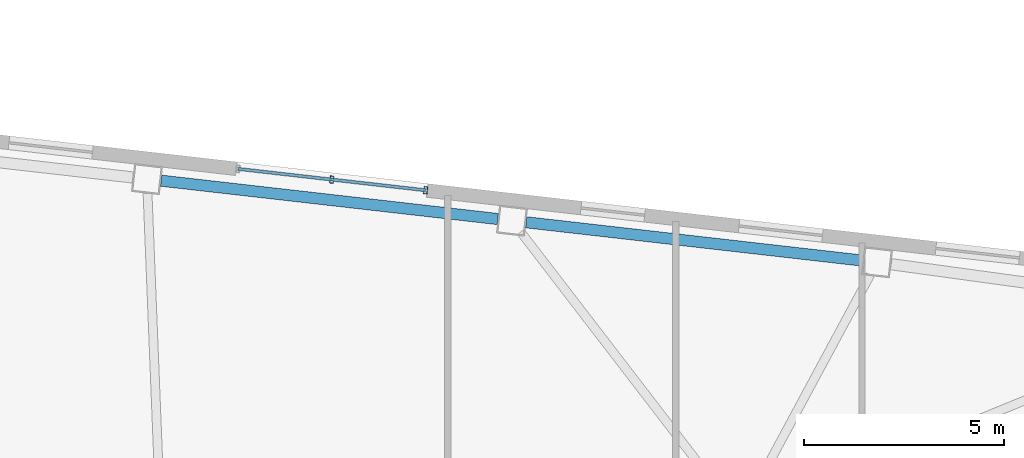
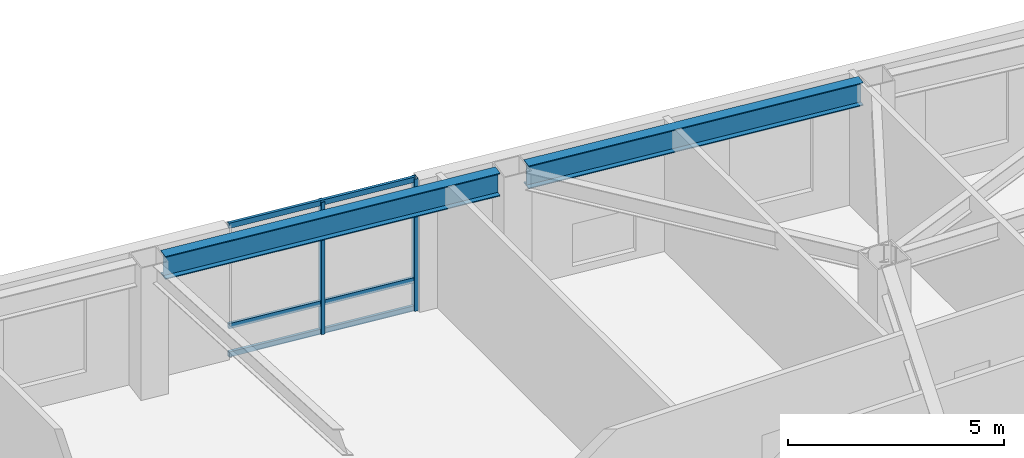
# One storey, part 10 of 22: 5 members, 2 beams, 1 element without a shape of its own.
"""IFC4 building model written with IfcOpenShell, lengths in metres."""

import ifcopenshell
import ifcopenshell.guid

model = None  # the IFC model being written
_history = None  # IfcOwnerHistory: only IFC2X3 demands one
_inside = {}  # id of a spatial element -> (the spatial element, [elements in it])
_under = {}  # id of a project, library or spatial element -> (it, [spatial elements below it])
_declared = {}  # id of a project -> (the project, [libraries it declares])
_typed = {}  # id of a type object -> (the type object, [elements of that type])
_made_of = {}  # id of a material, layer set ... -> (it, [elements and type objects made of it])


def new_model(schema):
    """Start an empty IFC model of exactly this schema.

    Asked for "IFC4X3", IfcOpenShell would pick the latest addendum, in which some entities
    have other attributes; the version numbers below select the first issue.
    IFC2X3 requires an IfcOwnerHistory on every rooted entity: one is made here for all.
    """
    global model, _history
    if schema == "IFC4X3":
        model = ifcopenshell.file(schema_version=(4, 3, 0, 0))
    else:
        model = ifcopenshell.file(schema=schema)
    _inside.clear()
    _under.clear()
    _declared.clear()
    _typed.clear()
    _made_of.clear()
    _history = None
    if model.schema == "IFC2X3":
        org = make("IfcOrganization", Name="unknown")
        user = make(
            "IfcPersonAndOrganization",
            ThePerson=make("IfcPerson", FamilyName="unknown"),
            TheOrganization=org,
        )
        app = make(
            "IfcApplication",
            ApplicationDeveloper=org,
            Version="unknown",
            ApplicationFullName="unknown",
            ApplicationIdentifier="unknown",
        )
        _history = make(
            "IfcOwnerHistory",
            OwningUser=user,
            OwningApplication=app,
            ChangeAction="ADDED",
            CreationDate=0,
        )
    return model


def make(cls, **values):
    """One entity of the class cls with the attributes given. An attribute that is None is left unset."""
    return model.create_entity(
        cls, **{name: value for name, value in values.items() if value is not None}
    )


def rooted(cls, **values):
    """An entity with a GlobalId (a new one), such as an element, a storey or a relation."""
    return make(cls, GlobalId=ifcopenshell.guid.new(), OwnerHistory=_history, **values)


def si_unit(unit_type, name, prefix=None):
    """IfcSIUnit, for example si_unit("LENGTHUNIT", "METRE", prefix="MILLI")."""
    return make("IfcSIUnit", UnitType=unit_type, Prefix=prefix, Name=name)


def assignment(units):
    """IfcUnitAssignment: the units of a project."""
    return None if units is None else make("IfcUnitAssignment", Units=units)


def point(xyz):
    """IfcCartesianPoint."""
    return None if xyz is None else make("IfcCartesianPoint", Coordinates=xyz)


def direction(xyz):
    """IfcDirection."""
    return None if xyz is None else make("IfcDirection", DirectionRatios=xyz)


def frame(location, z_axis=None, x_axis=None):
    """IfcAxis2Placement3D, a coordinate frame: its origin and axes. An axis left out is left unset."""
    return make(
        "IfcAxis2Placement3D",
        Location=point(location),
        Axis=direction(z_axis),
        RefDirection=direction(x_axis),
    )


def frame_2d(location, x_axis=None):
    """IfcAxis2Placement2D, a coordinate frame in the plane: its origin and x axis."""
    return make(
        "IfcAxis2Placement2D", Location=point(location), RefDirection=direction(x_axis)
    )


def origin():
    """The frame at (0, 0, 0) with its axes left unset."""
    return frame((0.0, 0.0, 0.0))


def origin_2d():
    """The frame at (0, 0) in the plane with its x axis left unset."""
    return frame_2d((0.0, 0.0))


def place(relative_to, where):
    """IfcLocalPlacement: puts the frame where relative to a parent placement (None: the world)."""
    return make(
        "IfcLocalPlacement", PlacementRelTo=relative_to, RelativePlacement=where
    )


def context(
    kind, dimensions, precision=None, world=None, true_north=None, identifier=None
):
    """IfcGeometricRepresentationContext, for example the 3D "Model" context."""
    return make(
        "IfcGeometricRepresentationContext",
        ContextIdentifier=identifier,
        ContextType=kind,
        CoordinateSpaceDimension=dimensions,
        Precision=precision,
        WorldCoordinateSystem=world,
        TrueNorth=true_north,
    )


def subcontext(parent, identifier, kind, view, scale=None):
    """IfcGeometricRepresentationSubContext, for example "Body" below "Model"."""
    return make(
        "IfcGeometricRepresentationSubContext",
        ContextIdentifier=identifier,
        ContextType=kind,
        ParentContext=parent,
        TargetScale=scale,
        TargetView=view,
    )


def project(units=None, contexts=None):
    """IfcProject with its units and contexts."""
    return rooted(
        "IfcProject",
        Name="project",
        RepresentationContexts=contexts,
        UnitsInContext=assignment(units),
    )


def spatial(cls, under=None, at=None, **own):
    """A site, building, storey or space (cls), placed at a placement, below another one or the project."""
    s = rooted(cls, ObjectPlacement=at, **own)
    if under is not None:
        _under.setdefault(under.id(), (under, []))[1].append(s)
    return s


def profile(cls, at=None, kind="AREA", **sizes):
    """A parametric profile (cls). Its sizes go by their IFC names, for example OverallWidth=200.0."""
    return make(cls, ProfileType=kind, Position=at, **sizes)


def hollow_rectangle(**sizes):
    """IfcRectangleHollowProfileDef."""
    return profile("IfcRectangleHollowProfileDef", **sizes)


def i_section(**sizes):
    """IfcIShapeProfileDef."""
    return profile("IfcIShapeProfileDef", **sizes)


def extrude(swept, where, along, depth):
    """IfcExtrudedAreaSolid: the profile swept, set in the frame where, extruded along a direction by depth."""
    return make(
        "IfcExtrudedAreaSolid",
        SweptArea=swept,
        Position=where,
        ExtrudedDirection=direction(along),
        Depth=depth,
    )


def shape(context_of_items, identifier, shape_type, items):
    """IfcShapeRepresentation: the items that make up one representation, for example the "Body"."""
    return make(
        "IfcShapeRepresentation",
        ContextOfItems=context_of_items,
        RepresentationIdentifier=identifier,
        RepresentationType=shape_type,
        Items=items,
    )


def material(Name=None, Category=None):
    """IfcMaterial."""
    return make("IfcMaterial", Name=Name, Category=Category)


def layer(
    of_material, thickness, ventilated=None, Name=None, Category=None, Priority=None
):
    """IfcMaterialLayer: one layer of a wall or slab, of a material (None: an air gap)."""
    return make(
        "IfcMaterialLayer",
        Material=of_material,
        LayerThickness=thickness,
        IsVentilated=ventilated,
        Name=Name,
        Category=Category,
        Priority=Priority,
    )


def layer_set(layers, Name=None):
    """IfcMaterialLayerSet."""
    return make("IfcMaterialLayerSet", MaterialLayers=layers, LayerSetName=Name)


def material_profile(
    of_material, cross_section, Name=None, Category=None, Priority=None
):
    """IfcMaterialProfile: a cross section and its material."""
    return make(
        "IfcMaterialProfile",
        Name=Name,
        Material=of_material,
        Profile=cross_section,
        Priority=Priority,
        Category=Category,
    )


def profile_set(profiles, Name=None, composite=None):
    """IfcMaterialProfileSet."""
    return make(
        "IfcMaterialProfileSet",
        Name=Name,
        MaterialProfiles=profiles,
        CompositeProfile=composite,
    )


def made_of(thing, what):
    """Note that an element or type object is made of a material, layer set ...; save() writes the relation."""
    if what is not None:
        _made_of.setdefault(what.id(), (what, []))[1].append(thing)
    return thing


def type_object(cls, material=None, **own):
    """A type object (cls), such as IfcWallType, which elements share."""
    return made_of(rooted(cls, **own), material)


def element(
    cls,
    number,
    at=None,
    inside=None,
    cuts=None,
    type_object=None,
    material=None,
    context=None,
    identifier="Body",
    shape_type=None,
    held_by="IfcProductDefinitionShape",
    body=None,
    shapes=None,
    **own,
):
    """One element of the class cls, such as IfcWall. Its Tag is "e" and its number.

    at: its placement. inside: the storey or other place that contains it. cuts: it is an
    opening in that element (IfcRelVoidsElement). A single representation is given by context,
    identifier, shape_type and body (its items); several are given by shapes. held_by: the class
    of the entity that holds the representations. save() writes the other relations.
    """
    e = rooted(cls, Tag="e%d" % number, ObjectPlacement=at, **own)
    if body is not None:
        shapes = [shape(context, identifier, shape_type, body)]
    if shapes is not None:
        e.Representation = make(held_by, Representations=shapes)
    if inside is not None:
        _inside.setdefault(inside.id(), (inside, []))[1].append(e)
    if cuts is not None:
        rooted(
            "IfcRelVoidsElement", RelatingBuildingElement=cuts, RelatedOpeningElement=e
        )
    if type_object is not None:
        _typed.setdefault(type_object.id(), (type_object, []))[1].append(e)
    return made_of(e, material)


def aggregate(whole, parts):
    """IfcRelAggregates: a whole, such as a stair, and the parts it consists of."""
    return rooted("IfcRelAggregates", RelatingObject=whole, RelatedObjects=parts)


def save(model, path):
    """Write the relations noted so far, then the file.

    IfcRelAggregates (storeys below a building ...), IfcRelContainedInSpatialStructure (elements
    in a storey), IfcRelDefinesByType, IfcRelAssociatesMaterial and IfcRelDeclares: one each for
    every whole, place, type object, material and project.
    """
    for whole, parts in _under.values():
        aggregate(whole, parts)
    for where, things in _inside.values():
        rooted(
            "IfcRelContainedInSpatialStructure",
            RelatedElements=things,
            RelatingStructure=where,
        )
    for kind, things in _typed.values():
        rooted("IfcRelDefinesByType", RelatedObjects=things, RelatingType=kind)
    for what, things in _made_of.values():
        rooted("IfcRelAssociatesMaterial", RelatedObjects=things, RelatingMaterial=what)
    for by, libraries in _declared.values():
        rooted("IfcRelDeclares", RelatingContext=by, RelatedDefinitions=libraries)
    model.write(path)


model = new_model("IFC4")

# Units and contexts
model_context = context("Model", 3, precision=1e-05, world=origin(), true_north=direction((0.0, 1.0)))
body_context = subcontext(model_context, "Body", "Model", "MODEL_VIEW")
ifc_project = project(units=[si_unit("LENGTHUNIT", "METRE"), si_unit("AREAUNIT", "SQUARE_METRE"), si_unit("VOLUMEUNIT", "CUBIC_METRE"), si_unit("PLANEANGLEUNIT", "RADIAN"), si_unit("MASSUNIT", "GRAM", prefix="KILO")], contexts=[model_context])

# Site, building, storey
site_placement = place(None, origin())
site = spatial("IfcSite", under=ifc_project, at=site_placement, CompositionType="ELEMENT")
building_placement = place(site_placement, origin())
building = spatial("IfcBuilding", under=site, at=building_placement, Name="Tavrogorsk Clinical Tower", CompositionType="ELEMENT")
storey_placement = place(building_placement, frame((0.0, 0.0, 93.39990234375)))
storey = spatial("IfcBuildingStorey", under=building, at=storey_placement, Name="L20", CompositionType="ELEMENT", Elevation=93.39990234375)

# Curtain wall, members
ifc_material_1 = material(Name="Anodised aluminium and triple IGU glazing", Category="aluminium")
ifc_layer = layer(ifc_material_1, 0.179931640625)
ifc_layer_set = layer_set([ifc_layer], Name="Anodised aluminium and triple IGU glazing")
curtain_wall_type = type_object("IfcCurtainWallType", Name="CW2_NorthSlot", PredefinedType="NOTDEFINED", material=ifc_layer_set)
curtain_wall_placement = place(storey_placement, origin())
curtain_wall = element("IfcCurtainWall", 1, at=curtain_wall_placement, inside=storey, type_object=curtain_wall_type, Name="L20 Curtain Wall CW-L20-N-SLOT-2", PredefinedType="NOTDEFINED")
ifc_material_2 = material(Name="Anodised aluminium alloy AW-6060", Category="aluminium")
ifc_material_profile_1 = material_profile(ifc_material_2, hollow_rectangle(XDim=0.090087890625, YDim=0.179931640625, WallThickness=0.00634765625, at=origin_2d()), Name="RHS-180x90x6.3")
ifc_profile_set_1 = profile_set([ifc_material_profile_1], Name="Anodised aluminium alloy AW-6060")
member_type_1 = type_object("IfcMemberType", Name="CwMullion_180x90", PredefinedType="MULLION", material=ifc_profile_set_1)
member_1_placement = place(storey_placement, frame((16.650146484375, 21.36572265625, 0.0), z_axis=(0.0, 0.0, 1.0), x_axis=(-0.993571855603, 0.11320321441, 0.0)))
member_1 = element("IfcMember", 2, at=member_1_placement, type_object=member_type_1, Name="CW-L20-N-SLOT-2 Mullion 1", PredefinedType="MULLION", context=body_context, shape_type="SweptSolid", body=[
    extrude(hollow_rectangle(XDim=0.090087890625, YDim=0.179931640625, WallThickness=0.00634765625, at=origin_2d()), origin(), (0.0, 0.0, 1.0), 3.739990234375),
])
member_2_placement = place(storey_placement, frame((14.306396484375, 21.6328125, 0.0), z_axis=(0.0, 0.0, 1.0), x_axis=(-0.993571855603, 0.11320321441, 0.0)))
member_2 = element("IfcMember", 3, at=member_2_placement, type_object=member_type_1, Name="CW-L20-N-SLOT-2 Mullion 2", PredefinedType="MULLION", context=body_context, shape_type="SweptSolid", body=[
    extrude(hollow_rectangle(XDim=0.090087890625, YDim=0.179931640625, WallThickness=0.00634765625, at=origin_2d()), origin(), (0.0, 0.0, 1.0), 3.739990234375),
])
ifc_material_3 = material(Name="Anodised aluminium alloy AW-6060", Category="aluminium")
ifc_material_profile_2 = material_profile(ifc_material_3, hollow_rectangle(XDim=0.074951171875, YDim=0.14990234375, WallThickness=0.0048828125, at=origin_2d()), Name="RHS-150x75x5")
ifc_profile_set_2 = profile_set([ifc_material_profile_2], Name="Anodised aluminium alloy AW-6060")
member_type_2 = type_object("IfcMemberType", Name="CwTransom_150x75", PredefinedType="USERDEFINED", material=ifc_profile_set_2)
member_3_placement = place(storey_placement, frame((16.650146484375, 21.36572265625, 0.050048828125), z_axis=(-0.993569315854, 0.113225503286, 0.0), x_axis=(-0.113225503286, -0.993569315854, 0.0)))
member_3 = element("IfcMember", 4, at=member_3_placement, type_object=member_type_2, Name="CW-L20-N-SLOT-2 Transom 1", ObjectType="TRANSOM", PredefinedType="USERDEFINED", context=body_context, shape_type="SweptSolid", body=[
    extrude(hollow_rectangle(XDim=0.074951171875, YDim=0.14990234375, WallThickness=0.0048828125, at=origin_2d()), origin(), (0.0, 0.0, 1.0), 4.7177734375),
])
member_4_placement = place(storey_placement, frame((16.650146484375, 21.36572265625, 0.85009765625), z_axis=(-0.993569315854, 0.113225503286, 0.0), x_axis=(-0.113225503286, -0.993569315854, 0.0)))
member_4 = element("IfcMember", 5, at=member_4_placement, type_object=member_type_2, Name="CW-L20-N-SLOT-2 Transom 2", ObjectType="TRANSOM", PredefinedType="USERDEFINED", context=body_context, shape_type="SweptSolid", body=[
    extrude(hollow_rectangle(XDim=0.074951171875, YDim=0.14990234375, WallThickness=0.0048828125, at=origin_2d()), origin(), (0.0, 0.0, 1.0), 4.7177734375),
])
member_5_placement = place(storey_placement, frame((16.650146484375, 21.36572265625, 3.690185546875), z_axis=(-0.993569315854, 0.113225503286, 0.0), x_axis=(-0.113225503286, -0.993569315854, 0.0)))
member_5 = element("IfcMember", 6, at=member_5_placement, type_object=member_type_2, Name="CW-L20-N-SLOT-2 Transom 3", ObjectType="TRANSOM", PredefinedType="USERDEFINED", context=body_context, shape_type="SweptSolid", body=[
    extrude(hollow_rectangle(XDim=0.074951171875, YDim=0.14990234375, WallThickness=0.0048828125, at=origin_2d()), origin(), (0.0, 0.0, 1.0), 4.7177734375),
])
aggregate(curtain_wall, [member_1, member_2, member_3, member_4, member_5])

# Beams
ifc_material_4 = material(Name="Structural steel S390", Category="steel")
ifc_material_profile_3 = material_profile(ifc_material_4, i_section(OverallWidth=0.280029296875, OverallDepth=0.64990234375, WebThickness=0.01611328125, FlangeThickness=0.02490234375, at=origin_2d()), Name="B-650x280x16x25")
ifc_profile_set_3 = profile_set([ifc_material_profile_3], Name="Structural steel S390")
beam_type = type_object("IfcBeamType", Name="SpandrelBeam_B650", PredefinedType="SPANDREL", material=ifc_profile_set_3)
beam_1_placement = place(storey_placement, frame((27.5703125, 19.608154296875, 3.4150390625), z_axis=(-0.993569819641, 0.113221082395, 0.0), x_axis=(-0.113221082395, -0.993569819641, 0.0)))
element("IfcBeam", 7, at=beam_1_placement, inside=storey, type_object=beam_type, Name="L20 Perimeter Spandrel N2-N3", PredefinedType="SPANDREL", context=body_context, shape_type="SweptSolid", body=[
    extrude(i_section(OverallWidth=0.280029296875, OverallDepth=0.64990234375, WebThickness=0.01611328125, FlangeThickness=0.02490234375, at=origin_2d()), origin(), (0.0, 0.0, 1.0), 8.46142578125),
])
beam_2_placement = place(storey_placement, frame((18.451904296875, 20.647216796875, 3.4150390625), z_axis=(-0.99357232562, 0.113199089054, 0.0), x_axis=(-0.113199089054, -0.99357232562, 0.0)))
element("IfcBeam", 8, at=beam_2_placement, inside=storey, type_object=beam_type, Name="L20 Perimeter Spandrel N3-N4", PredefinedType="SPANDREL", context=body_context, shape_type="SweptSolid", body=[
    extrude(i_section(OverallWidth=0.280029296875, OverallDepth=0.64990234375, WebThickness=0.01611328125, FlangeThickness=0.02490234375, at=origin_2d()), origin(), (0.0, 0.0, 1.0), 8.4609375),
])

save(model, "model.ifc")
